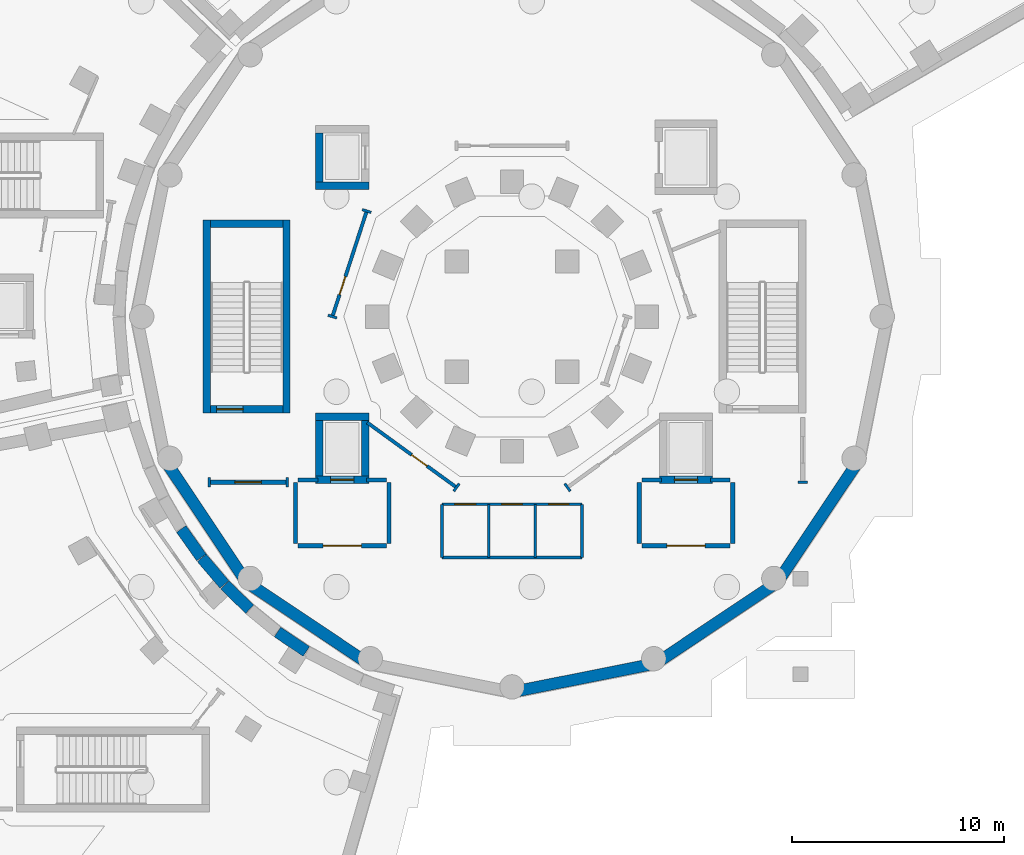
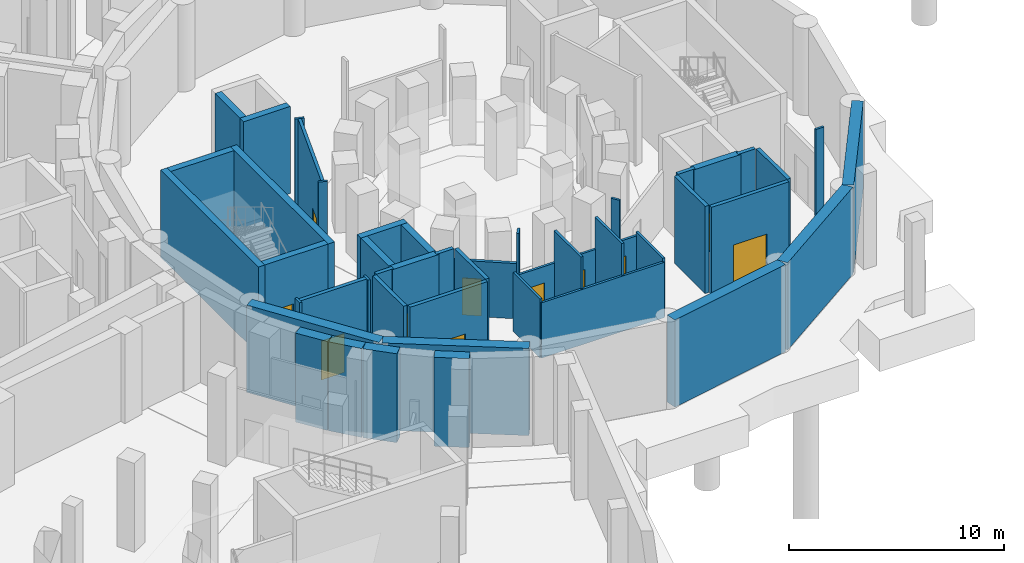
# One storey, part 9 of 33: 46 walls, 11 doors, 11 openings.
"""IFC4 building model written with IfcOpenShell, lengths in metres."""

from ifc_helpers import new_model, si_unit, direction, frame, frame_2d, origin, place, context, subcontext, project, spatial, rectangle, extrude, material, layer, layer_set, type_object, element, fill, save


model = new_model("IFC4")

# Units and contexts
model_context = context("Model", 3, precision=1e-05, world=origin(), true_north=direction((0.0, 1.0)))
body_context = subcontext(model_context, "Body", "Model", "MODEL_VIEW")
ifc_project = project(units=[si_unit("LENGTHUNIT", "METRE"), si_unit("AREAUNIT", "SQUARE_METRE"), si_unit("VOLUMEUNIT", "CUBIC_METRE"), si_unit("PLANEANGLEUNIT", "RADIAN"), si_unit("MASSUNIT", "GRAM", prefix="KILO")], contexts=[model_context])

# Site, building, storey
site_placement = place(None, origin())
site = spatial("IfcSite", under=ifc_project, at=site_placement, CompositionType="ELEMENT")
building_placement = place(site_placement, origin())
building = spatial("IfcBuilding", under=site, at=building_placement, Name="Soyqirgoq Riverine Aquarium", CompositionType="ELEMENT")
storey_placement = place(building_placement, frame((0.0, 0.0, -5.39990234375)))
storey = spatial("IfcBuildingStorey", under=building, at=storey_placement, Name="B01", CompositionType="ELEMENT", Elevation=-5.39990234375)

# Wall, opening, door
ifc_material_1 = material(Name="Concrete C40/50", Category="concrete")
ifc_layer_1 = layer(ifc_material_1, 0.35009765625)
ifc_layer_set_1 = layer_set([ifc_layer_1], Name="Concrete C40/50")
wall_type_1 = type_object("IfcWallType", Name="CoreShearWall_350_C40", PredefinedType="SHEAR", material=ifc_layer_set_1)
wall_1_placement = place(storey_placement, frame((62.945068359375, 49.320068359375, 0.0), z_axis=(0.0, 0.0, 1.0), x_axis=(1.0, 0.0, 0.0)))
wall_1 = element("IfcWall", 1, at=wall_1_placement, inside=storey, type_object=wall_type_1, Name="Lift FFL-1 Shaft Wall B01 1", PredefinedType="SHEAR", context=body_context, shape_type="SweptSolid", body=[
    extrude(rectangle(XDim=2.510009765625, YDim=0.35009765625, at=frame_2d((1.2548828125, 0.0))), origin(), (0.0, 0.0, 1.0), 4.949951171875),
])
opening_1_placement = place(wall_1_placement, frame((0.705078125, 0.0, 0.0)))
opening_1 = element("IfcOpeningElement", 2, at=opening_1_placement, cuts=wall_1, Name="Opening LD-01", PredefinedType="OPENING", context=body_context, shape_type="SweptSolid", body=[
    extrude(rectangle(XDim=1.10009765625, YDim=2.199951171875, at=frame_2d((0.550048828125, 1.10009765625))), frame((0.0, 0.18505859375, 0.0), z_axis=(0.0, -1.0, 0.0), x_axis=(1.0, 0.0, 0.0)), (0.0, 0.0, 1.0), 0.3701171875),
])
ifc_material_2 = material(Name="Brushed stainless steel telescopic lift landing door", Category="steel")
door_type_1 = type_object("IfcDoorType", Name="LiftLandingDoor_1100x2200", OperationType="SLIDING_TO_LEFT", PredefinedType="DOOR", material=ifc_material_2)
door_1_placement = place(opening_1_placement, origin())
door_1 = element("IfcDoor", 3, at=door_1_placement, inside=storey, type_object=door_type_1, Name="LD-FFL-1-B01 Lift FFL-1 B01 Sliding Landing Door", OperationType="SLIDING_TO_LEFT", OverallHeight=2.199951171875, OverallWidth=1.10009765625, PredefinedType="DOOR", context=body_context, shape_type="SweptSolid", body=[
    extrude(rectangle(XDim=1.10009765625, YDim=2.199951171875, at=frame_2d((0.550048828125, 1.10009765625))), frame((0.0, 0.02490234375, 0.0), z_axis=(0.0, -1.0, 0.0), x_axis=(1.0, 0.0, 0.0)), (0.0, 0.0, 1.0), 0.050048828125),
])
fill(opening_1, door_1)

# Walls
wall_2_placement = place(storey_placement, frame((45.375, 52.449951171875, 0.0), z_axis=(0.0, 0.0, 1.0), x_axis=(0.0, 1.0, 0.0)))
element("IfcWall", 4, at=wall_2_placement, inside=storey, type_object=wall_type_1, Name="CORE-1B B01 Stair Core Shear Wall SIDE1", PredefinedType="SHEAR", context=body_context, shape_type="SweptSolid", body=[
    extrude(rectangle(XDim=9.10009765625, YDim=0.35009765625, at=frame_2d((4.550048828125, 0.0))), origin(), (0.0, 0.0, 1.0), 4.949951171875),
])
wall_3_placement = place(storey_placement, frame((45.199951171875, 61.375, 0.0), z_axis=(0.0, 0.0, 1.0), x_axis=(-1.0, 0.0, 0.0)))
element("IfcWall", 5, at=wall_3_placement, inside=storey, type_object=wall_type_1, Name="CORE-1B B01 Stair Core Shear Wall BACK", PredefinedType="SHEAR", context=body_context, shape_type="SweptSolid", body=[
    extrude(rectangle(XDim=3.39990234375, YDim=0.35009765625, at=frame_2d((1.699951171875, 0.0))), origin(), (0.0, 0.0, 1.0), 4.949951171875),
])
wall_4_placement = place(storey_placement, frame((41.625, 61.550048828125, 0.0), z_axis=(0.0, 0.0, 1.0), x_axis=(0.0, -1.0, 0.0)))
element("IfcWall", 6, at=wall_4_placement, inside=storey, type_object=wall_type_1, Name="CORE-1B B01 Stair Core Shear Wall SIDE2", PredefinedType="SHEAR", context=body_context, shape_type="SweptSolid", body=[
    extrude(rectangle(XDim=9.10009765625, YDim=0.35009765625, at=frame_2d((4.550048828125, 0.0))), origin(), (0.0, 0.0, 1.0), 4.949951171875),
])

# Wall, opening, door
wall_5_placement = place(storey_placement, frame((41.800048828125, 52.625, 0.0), z_axis=(0.0, 0.0, 1.0), x_axis=(1.0, 0.0, 0.0)))
wall_5 = element("IfcWall", 7, at=wall_5_placement, inside=storey, type_object=wall_type_1, Name="CORE-1B B01 Stair Core Shear Wall FRONT", PredefinedType="SHEAR", context=body_context, shape_type="SweptSolid", body=[
    extrude(rectangle(XDim=3.39990234375, YDim=0.35009765625, at=frame_2d((1.699951171875, 0.0))), origin(), (0.0, 0.0, 1.0), 4.949951171875),
])
opening_2_placement = place(wall_5_placement, frame((0.280029296875, 0.0, 0.0)))
opening_2 = element("IfcOpeningElement", 8, at=opening_2_placement, cuts=wall_5, Name="Opening FD-01", PredefinedType="OPENING", context=body_context, shape_type="SweptSolid", body=[
    extrude(rectangle(XDim=1.25, YDim=2.199951171875, at=frame_2d((0.625, 1.10009765625))), frame((0.0, 0.18505859375, 0.0), z_axis=(0.0, -1.0, 0.0), x_axis=(1.0, 0.0, 0.0)), (0.0, 0.0, 1.0), 0.3701171875),
])
ifc_material_3 = material(Name="Galvanised steel fire-resisting stair door", Category="steel")
door_type_2 = type_object("IfcDoorType", Name="StairFireDoor_1250x2200_EI90", OperationType="NOTDEFINED", PredefinedType="DOOR", material=ifc_material_3)
door_2_placement = place(opening_2_placement, origin())
door_2 = element("IfcDoor", 9, at=door_2_placement, inside=storey, type_object=door_type_2, Name="DR-ST-9-B01 ST-9 B01 Fire-Rated Stairwell Door", OperationType="SINGLE_SWING_LEFT", OverallHeight=2.199951171875, OverallWidth=1.25, PredefinedType="DOOR", context=body_context, shape_type="SweptSolid", body=[
    extrude(rectangle(XDim=1.25, YDim=2.199951171875, at=frame_2d((0.625, 1.10009765625))), frame((0.0, 0.02490234375, 0.0), z_axis=(0.0, -1.0, 0.0), x_axis=(1.0, 0.0, 0.0)), (0.0, 0.0, 1.0), 0.050048828125),
])
fill(opening_2, door_2)

wall_6_placement = place(storey_placement, frame((46.7451171875, 49.320068359375, 0.0), z_axis=(0.0, 0.0, 1.0), x_axis=(1.0, 0.0, 0.0)))
wall_6 = element("IfcWall", 10, at=wall_6_placement, inside=storey, type_object=wall_type_1, Name="Lift FFL-2 Shaft Wall B01 1", PredefinedType="SHEAR", context=body_context, shape_type="SweptSolid", body=[
    extrude(rectangle(XDim=2.509765625, YDim=0.35009765625, at=frame_2d((1.2548828125, 0.0))), origin(), (0.0, 0.0, 1.0), 4.949951171875),
])
opening_3_placement = place(wall_6_placement, frame((0.705078125, 0.0, 0.0)))
opening_3 = element("IfcOpeningElement", 11, at=opening_3_placement, cuts=wall_6, Name="Opening LD-01", PredefinedType="OPENING", context=body_context, shape_type="SweptSolid", body=[
    extrude(rectangle(XDim=1.10009765625, YDim=2.199951171875, at=frame_2d((0.550048828125, 1.10009765625))), frame((0.0, 0.18505859375, 0.0), z_axis=(0.0, -1.0, 0.0), x_axis=(1.0, 0.0, 0.0)), (0.0, 0.0, 1.0), 0.3701171875),
])
door_3_placement = place(opening_3_placement, origin())
door_3 = element("IfcDoor", 12, at=door_3_placement, inside=storey, type_object=door_type_1, Name="LD-FFL-2-B01 Lift FFL-2 B01 Sliding Landing Door", OperationType="SLIDING_TO_LEFT", OverallHeight=2.199951171875, OverallWidth=1.10009765625, PredefinedType="DOOR", context=body_context, shape_type="SweptSolid", body=[
    extrude(rectangle(XDim=1.10009765625, YDim=2.199951171875, at=frame_2d((0.550048828125, 1.10009765625))), frame((0.0, 0.02490234375, 0.0), z_axis=(0.0, -1.0, 0.0), x_axis=(1.0, 0.0, 0.0)), (0.0, 0.0, 1.0), 0.050048828125),
])
fill(opening_3, door_3)

# Walls
wall_7_placement = place(storey_placement, frame((49.080078125, 49.4951171875, 0.0), z_axis=(0.0, 0.0, 1.0), x_axis=(0.0, 1.0, 0.0)))
element("IfcWall", 13, at=wall_7_placement, inside=storey, type_object=wall_type_1, Name="Lift FFL-2 Shaft Wall B01 2", PredefinedType="SHEAR", context=body_context, shape_type="SweptSolid", body=[
    extrude(rectangle(XDim=2.60986328125, YDim=0.35009765625, at=frame_2d((1.304931640625, 0.0))), origin(), (0.0, 0.0, 1.0), 4.949951171875),
])
wall_8_placement = place(storey_placement, frame((49.2548828125, 52.280029296875, 0.0), z_axis=(0.0, 0.0, 1.0), x_axis=(-1.0, 0.0, 0.0)))
element("IfcWall", 14, at=wall_8_placement, inside=storey, type_object=wall_type_1, Name="Lift FFL-2 Shaft Wall B01 3", PredefinedType="SHEAR", context=body_context, shape_type="SweptSolid", body=[
    extrude(rectangle(XDim=2.509765625, YDim=0.35009765625, at=frame_2d((1.2548828125, 0.0))), origin(), (0.0, 0.0, 1.0), 4.949951171875),
])
wall_9_placement = place(storey_placement, frame((46.919921875, 52.10498046875, 0.0), z_axis=(0.0, 0.0, 1.0), x_axis=(0.0, -1.0, 0.0)))
element("IfcWall", 15, at=wall_9_placement, inside=storey, type_object=wall_type_1, Name="Lift FFL-2 Shaft Wall B01 4", PredefinedType="SHEAR", context=body_context, shape_type="SweptSolid", body=[
    extrude(rectangle(XDim=2.60986328125, YDim=0.35009765625, at=frame_2d((1.304931640625, 0.0))), origin(), (0.0, 0.0, 1.0), 4.949951171875),
])
wall_10_placement = place(storey_placement, frame((46.7451171875, 63.169921875, 0.0), z_axis=(0.0, 0.0, 1.0), x_axis=(1.0, 0.0, 0.0)))
element("IfcWall", 16, at=wall_10_placement, inside=storey, type_object=wall_type_1, Name="Lift PL-1 Shaft Wall B01 1", PredefinedType="SHEAR", context=body_context, shape_type="SweptSolid", body=[
    extrude(rectangle(XDim=2.509765625, YDim=0.35009765625, at=frame_2d((1.2548828125, 0.0))), origin(), (0.0, 0.0, 1.0), 4.949951171875),
])
wall_11_placement = place(storey_placement, frame((46.919921875, 65.655029296875, 0.0), z_axis=(0.0, 0.0, 1.0), x_axis=(0.0, -1.0, 0.0)))
element("IfcWall", 17, at=wall_11_placement, inside=storey, type_object=wall_type_1, Name="Lift PL-1 Shaft Wall B01 4", PredefinedType="SHEAR", context=body_context, shape_type="SweptSolid", body=[
    extrude(rectangle(XDim=2.31005859375, YDim=0.35009765625, at=frame_2d((1.155029296875, 0.0))), origin(), (0.0, 0.0, 1.0), 4.949951171875),
])
ifc_material_4 = material(Name="Lightweight steel-stud gypsum partition", Category="steel")
ifc_layer_2 = layer(ifc_material_4, 0.1201171875)
ifc_layer_set_2 = layer_set([ifc_layer_2], Name="Lightweight steel-stud gypsum partition")
wall_type_2 = type_object("IfcWallType", Name="PartitionWall_120_Std", PredefinedType="PARTITIONING", material=ifc_layer_set_2)
for number, where, z_axis, x_axis, name in (
    (18, (69.919921875, 49.199951171875, 0.0), (0.0, 0.0, 1.0), (-1.0, 0.0, 0.0), "V1 B01 Jamb Return Pier"),
    (19, (41.723388671875, 48.97998046875, 0.0), (0.0, 0.0, 1.0), (0.0, 1.0, 0.0), "V1 B01 Jamb Return Pier"),
    (20, (45.39990234375, 48.97998046875, 0.0), (0.0, 0.0, 1.0), (0.0, 1.0, 0.0), "V1 B01 Jamb Return Pier"),
):
    element("IfcWall", number, at=place(storey_placement, frame(where, z_axis=z_axis, x_axis=x_axis)), inside=storey, type_object=wall_type_2, Name=name, PredefinedType="PARTITIONING", context=body_context, shape_type="SweptSolid", body=[
        extrude(rectangle(XDim=0.43994140625, YDim=0.1201171875, at=frame_2d((0.219970703125, 0.0))), origin(), (0.0, 0.0, 1.0), 4.949951171875),
    ])
wall_12_placement = place(storey_placement, frame((47.74609375, 56.931884765625, 0.0), z_axis=(0.0, 0.0, 1.0), x_axis=(-0.950879027099, 0.309562717107, 0.0)))
element("IfcWall", 21, at=wall_12_placement, inside=storey, type_object=wall_type_2, Name="V1 B01 Jamb Return Pier", PredefinedType="PARTITIONING", context=body_context, shape_type="SweptSolid", body=[
    extrude(rectangle(XDim=0.440185546875, YDim=0.1201171875, at=frame_2d((0.22021484375, 0.0))), origin(), (0.0, 0.0, 1.0), 4.949951171875),
])
for number, where, z_axis, x_axis, name in (
    (22, (49.362548828125, 61.906494140625, 0.0), (0.0, 0.0, 1.0), (-0.951042223598, 0.309060979314, 0.0), "V1 B01 Jamb Return Pier"),
    (23, (58.48583984375, 49.129150390625, 0.0), (0.0, 0.0, 1.0), (0.587676645097, -0.809095890984, 0.0), "V1 B01 Jamb Return Pier"),
    (24, (53.51416015625, 49.129150390625, 0.0), (0.0, 0.0, 1.0), (-0.587676645097, -0.809095890984, 0.0), "V1 B01 Jamb Return Pier"),
):
    element("IfcWall", number, at=place(storey_placement, frame(where, z_axis=z_axis, x_axis=x_axis)), inside=storey, type_object=wall_type_2, Name=name, PredefinedType="PARTITIONING", context=body_context, shape_type="SweptSolid", body=[
        extrude(rectangle(XDim=0.43994140625, YDim=0.1201171875, at=frame_2d((0.219970703125, 0.0))), origin(), (0.0, 0.0, 1.0), 4.949951171875),
    ])

# Wall, openings, doors
ifc_material_5 = material(Name="Moisture-resistant cement-board wet-room partition", Category="gypsum")
ifc_layer_3 = layer(ifc_material_5, 0.125)
ifc_layer_set_3 = layer_set([ifc_layer_3], Name="Moisture-resistant cement-board wet-room partition")
wall_type_3 = type_object("IfcWallType", Name="PartitionWall_125_Wet", PredefinedType="PARTITIONING", material=ifc_layer_set_3)
wall_13_placement = place(storey_placement, frame((52.699951171875, 48.14990234375, 0.0), z_axis=(0.0, 0.0, 1.0), x_axis=(1.0, 0.0, 0.0)))
wall_13 = element("IfcWall", 25, at=wall_13_placement, inside=storey, type_object=wall_type_3, Name="V1 B01 WC Suite Front Wall", PredefinedType="PARTITIONING", context=body_context, shape_type="SweptSolid", body=[
    extrude(rectangle(XDim=6.60009765625, YDim=0.125, at=frame_2d((3.300048828125, 0.0))), origin(), (0.0, 0.0, 1.0), 3.139892578125),
])
opening_4_placement = place(wall_13_placement, frame((0.60009765625, 0.0, 0.0)))
opening_4 = element("IfcOpeningElement", 26, at=opening_4_placement, cuts=wall_13, Name="Opening ID-05", PredefinedType="OPENING", context=body_context, shape_type="SweptSolid", body=[
    extrude(rectangle(XDim=1.0, YDim=2.199951171875, at=frame_2d((0.5, 1.10009765625))), frame((0.0, 0.072509765625, 0.0), z_axis=(0.0, -1.0, 0.0), x_axis=(1.0, 0.0, 0.0)), (0.0, 0.0, 1.0), 0.14501953125),
])
opening_5_placement = place(wall_13_placement, frame((2.824951171875, 0.0, 0.0)))
opening_5 = element("IfcOpeningElement", 27, at=opening_5_placement, cuts=wall_13, Name="Opening ID-06", PredefinedType="OPENING", context=body_context, shape_type="SweptSolid", body=[
    extrude(rectangle(XDim=0.949951171875, YDim=2.199951171875, at=frame_2d((0.47509765625, 1.10009765625))), frame((0.0, 0.072509765625, 0.0), z_axis=(0.0, -1.0, 0.0), x_axis=(1.0, 0.0, 0.0)), (0.0, 0.0, 1.0), 0.14501953125),
])
opening_6_placement = place(wall_13_placement, frame((5.02490234375, 0.0, 0.0)))
opening_6 = element("IfcOpeningElement", 28, at=opening_6_placement, cuts=wall_13, Name="Opening ID-06", PredefinedType="OPENING", context=body_context, shape_type="SweptSolid", body=[
    extrude(rectangle(XDim=0.949951171875, YDim=2.199951171875, at=frame_2d((0.47509765625, 1.10009765625))), frame((0.0, 0.072509765625, 0.0), z_axis=(0.0, -1.0, 0.0), x_axis=(1.0, 0.0, 0.0)), (0.0, 0.0, 1.0), 0.14501953125),
])
ifc_material_6 = material(Name="Moisture-resistant HPL accessible washroom door", Category="wood")
door_type_3 = type_object("IfcDoorType", Name="AccessibleWCDoor_1000x2200", OperationType="NOTDEFINED", PredefinedType="DOOR", material=ifc_material_6)
door_4_placement = place(opening_4_placement, origin())
door_4 = element("IfcDoor", 29, at=door_4_placement, inside=storey, type_object=door_type_3, Name="IDR-V1-B01-0001 Accessible WC Door", OperationType="SINGLE_SWING_RIGHT", OverallHeight=2.199951171875, OverallWidth=1.0, PredefinedType="DOOR", context=body_context, shape_type="SweptSolid", body=[
    extrude(rectangle(XDim=1.0, YDim=2.199951171875, at=frame_2d((0.5, 1.10009765625))), frame((0.0, 0.02490234375, 0.0), z_axis=(0.0, -1.0, 0.0), x_axis=(1.0, 0.0, 0.0)), (0.0, 0.0, 1.0), 0.050048828125),
])
fill(opening_4, door_4)
ifc_material_7 = material(Name="Moisture-resistant HPL washroom door", Category="wood")
door_type_4 = type_object("IfcDoorType", Name="WCDoor_950x2200", OperationType="NOTDEFINED", PredefinedType="DOOR", material=ifc_material_7)
door_5_placement = place(opening_5_placement, origin())
door_5 = element("IfcDoor", 30, at=door_5_placement, inside=storey, type_object=door_type_4, Name="IDR-V1-B01-0002 Staff Shower Room Door", OperationType="SINGLE_SWING_LEFT", OverallHeight=2.199951171875, OverallWidth=0.949951171875, PredefinedType="DOOR", context=body_context, shape_type="SweptSolid", body=[
    extrude(rectangle(XDim=0.949951171875, YDim=2.199951171875, at=frame_2d((0.47509765625, 1.10009765625))), frame((0.0, 0.02490234375, 0.0), z_axis=(0.0, -1.0, 0.0), x_axis=(1.0, 0.0, 0.0)), (0.0, 0.0, 1.0), 0.050048828125),
])
fill(opening_5, door_5)
door_6_placement = place(opening_6_placement, origin())
door_6 = element("IfcDoor", 31, at=door_6_placement, inside=storey, type_object=door_type_4, Name="IDR-V1-B01-0003 Staff WC Door", OperationType="SINGLE_SWING_RIGHT", OverallHeight=2.199951171875, OverallWidth=0.949951171875, PredefinedType="DOOR", context=body_context, shape_type="SweptSolid", body=[
    extrude(rectangle(XDim=0.949951171875, YDim=2.199951171875, at=frame_2d((0.47509765625, 1.10009765625))), frame((0.0, 0.02490234375, 0.0), z_axis=(0.0, -1.0, 0.0), x_axis=(1.0, 0.0, 0.0)), (0.0, 0.0, 1.0), 0.050048828125),
])
fill(opening_6, door_6)

# Walls
wall_14_placement = place(storey_placement, frame((52.699951171875, 45.64990234375, 0.0), z_axis=(0.0, 0.0, 1.0), x_axis=(1.0, 0.0, 0.0)))
element("IfcWall", 32, at=wall_14_placement, inside=storey, type_object=wall_type_3, Name="V1 B01 WC Suite Back Wall", PredefinedType="PARTITIONING", context=body_context, shape_type="SweptSolid", body=[
    extrude(rectangle(XDim=6.60009765625, YDim=0.125, at=frame_2d((3.300048828125, 0.0))), origin(), (0.0, 0.0, 1.0), 3.139892578125),
])
for number, where, z_axis, x_axis, name in (
    (33, (52.699951171875, 45.64990234375, 0.0), (0.0, 0.0, 1.0), (0.0, 1.0, 0.0), "V1 B01 WC Suite West Wall"),
    (34, (59.300048828125, 45.64990234375, 0.0), (0.0, 0.0, 1.0), (0.0, 1.0, 0.0), "V1 B01 WC Suite East Wall"),
):
    element("IfcWall", number, at=place(storey_placement, frame(where, z_axis=z_axis, x_axis=x_axis)), inside=storey, type_object=wall_type_3, Name=name, PredefinedType="PARTITIONING", context=body_context, shape_type="SweptSolid", body=[
        extrude(rectangle(XDim=2.5, YDim=0.125, at=frame_2d((1.25, 0.0))), origin(), (0.0, 0.0, 1.0), 3.33984375),
    ])
for number, where, z_axis, x_axis, name in (
    (35, (54.89990234375, 45.64990234375, 0.0), (0.0, 0.0, 1.0), (0.0, 1.0, 0.0), "V1 B01 WC Cubicle Divider 1"),
    (36, (57.10009765625, 45.64990234375, 0.0), (0.0, 0.0, 1.0), (0.0, 1.0, 0.0), "V1 B01 WC Cubicle Divider 2"),
):
    element("IfcWall", number, at=place(storey_placement, frame(where, z_axis=z_axis, x_axis=x_axis)), inside=storey, type_object=wall_type_3, Name=name, PredefinedType="PARTITIONING", context=body_context, shape_type="SweptSolid", body=[
        extrude(rectangle(XDim=2.5, YDim=0.125, at=frame_2d((1.25, 0.0))), origin(), (0.0, 0.0, 1.0), 4.949951171875),
    ])

# Wall, opening, door
ifc_material_8 = material(Name="Fire-rated acoustic gypsum stud partition", Category="gypsum")
ifc_layer_4 = layer(ifc_material_8, 0.159912109375)
ifc_layer_set_4 = layer_set([ifc_layer_4], Name="Fire-rated acoustic gypsum stud partition")
wall_type_4 = type_object("IfcWallType", Name="PartitionWall_160_EI60", PredefinedType="PARTITIONING", material=ifc_layer_set_4)
wall_15_placement = place(storey_placement, frame((47.536865234375, 57.0, 0.0), z_axis=(0.0, 0.0, 1.0), x_axis=(0.309035412731, 0.951050531611, 0.0)))
wall_15 = element("IfcWall", 37, at=wall_15_placement, inside=storey, type_object=wall_type_4, Name="Water Chemistry Testing Laboratory Partition Wall", PredefinedType="PARTITIONING", context=body_context, shape_type="SweptSolid", body=[
    extrude(rectangle(XDim=5.230712890625, YDim=0.159912109375, at=frame_2d((2.615234375, 0.0))), origin(), (0.0, 0.0, 1.0), 4.949951171875),
])
opening_7_placement = place(wall_15_placement, frame((1.08251953125, 0.0, 0.0)))
opening_7 = element("IfcOpeningElement", 38, at=opening_7_placement, cuts=wall_15, Name="Opening RD-01", PredefinedType="OPENING", context=body_context, shape_type="SweptSolid", body=[
    extrude(rectangle(XDim=0.89990234375, YDim=2.10009765625, at=frame_2d((0.449951171875, 1.050048828125))), frame((0.0, 0.08984375, 0.0), z_axis=(0.0, -1.0, 0.0), x_axis=(1.0, 0.0, 0.0)), (0.0, 0.0, 1.0), 0.179931640625),
])
ifc_material_9 = material(Name="Flush steel service riser fire door", Category="steel")
door_type_5 = type_object("IfcDoorType", Name="RiserAccessDoor_900x2100_EI60", OperationType="NOTDEFINED", PredefinedType="DOOR", material=ifc_material_9)
door_7_placement = place(opening_7_placement, origin())
door_7 = element("IfcDoor", 39, at=door_7_placement, inside=storey, type_object=door_type_5, Name="IDR-V1-B01-0006 Ocean Drum Circulation Corridor Door", OperationType="SINGLE_SWING_LEFT", OverallHeight=2.10009765625, OverallWidth=0.89990234375, PredefinedType="DOOR", context=body_context, shape_type="SweptSolid", body=[
    extrude(rectangle(XDim=0.89990234375, YDim=2.10009765625, at=frame_2d((0.449951171875, 1.050048828125))), frame((0.0, 0.02490234375, 0.0), z_axis=(0.0, -1.0, 0.0), x_axis=(1.0, 0.0, 0.0)), (0.0, 0.0, 1.0), 0.050048828125),
])
fill(opening_7, door_7)

wall_16_placement = place(storey_placement, frame((53.384765625, 48.951171875, 0.0), z_axis=(0.0, 0.0, 1.0), x_axis=(-0.809016112011, 0.58778646676, 0.0)))
wall_16 = element("IfcWall", 40, at=wall_16_placement, inside=storey, type_object=wall_type_4, Name="Water Chemistry Testing Laboratory Partition Wall", PredefinedType="PARTITIONING", context=body_context, shape_type="SweptSolid", body=[
    extrude(rectangle(XDim=5.201171875, YDim=0.159912109375, at=frame_2d((2.6005859375, 0.0))), origin(), (0.0, 0.0, 1.0), 3.139892578125),
])
opening_8_placement = place(wall_16_placement, frame((1.716796875, 0.0, 0.0)))
opening_8 = element("IfcOpeningElement", 41, at=opening_8_placement, cuts=wall_16, Name="Opening RD-01", PredefinedType="OPENING", context=body_context, shape_type="SweptSolid", body=[
    extrude(rectangle(XDim=0.89990234375, YDim=2.10009765625, at=frame_2d((0.449951171875, 1.050048828125))), frame((0.0, 0.08984375, 0.0), z_axis=(0.0, -1.0, 0.0), x_axis=(1.0, 0.0, 0.0)), (0.0, 0.0, 1.0), 0.179931640625),
])
door_8_placement = place(opening_8_placement, origin())
door_8 = element("IfcDoor", 42, at=door_8_placement, inside=storey, type_object=door_type_5, Name="IDR-V1-B01-0010 Ocean Drum Circulation Corridor Door", OperationType="SINGLE_SWING_LEFT", OverallHeight=2.10009765625, OverallWidth=0.89990234375, PredefinedType="DOOR", context=body_context, shape_type="SweptSolid", body=[
    extrude(rectangle(XDim=0.89990234375, YDim=2.10009765625, at=frame_2d((0.449951171875, 1.050048828125))), frame((0.0, 0.02490234375, 0.0), z_axis=(0.0, -1.0, 0.0), x_axis=(1.0, 0.0, 0.0)), (0.0, 0.0, 1.0), 0.050048828125),
])
fill(opening_8, door_8)

ifc_material_10 = material(Name="Fire-rated calcium silicate twin-stud partition", Category="gypsum")
ifc_layer_5 = layer(ifc_material_10, 0.199951171875)
ifc_layer_set_5 = layer_set([ifc_layer_5], Name="Fire-rated calcium silicate twin-stud partition")
wall_type_5 = type_object("IfcWallType", Name="PartitionWall_200_EI90", PredefinedType="PARTITIONING", material=ifc_layer_set_5)
wall_17_placement = place(storey_placement, frame((62.1201171875, 46.199951171875, 0.0), z_axis=(0.0, 0.0, 1.0), x_axis=(1.0, 0.0, 0.0)))
wall_17 = element("IfcWall", 43, at=wall_17_placement, inside=storey, type_object=wall_type_5, Name="CORE-1 B01 Firefighting Lobby South Enclosure Wall", PredefinedType="PARTITIONING", context=body_context, shape_type="SweptSolid", body=[
    extrude(rectangle(XDim=4.159912109375, YDim=0.199951171875, at=frame_2d((2.080078125, 0.0))), origin(), (0.0, 0.0, 1.0), 4.949951171875),
])
opening_9_placement = place(wall_17_placement, frame((1.179931640625, 0.0, 0.0)))
opening_9 = element("IfcOpeningElement", 44, at=opening_9_placement, cuts=wall_17, Name="Opening FD-02", PredefinedType="OPENING", context=body_context, shape_type="SweptSolid", body=[
    extrude(rectangle(XDim=1.800048828125, YDim=2.39990234375, at=frame_2d((0.89990234375, 1.199951171875))), frame((0.0, 0.10986328125, 0.0), z_axis=(0.0, -1.0, 0.0), x_axis=(1.0, 0.0, 0.0)), (0.0, 0.0, 1.0), 0.219970703125),
])
ifc_material_11 = material(Name="Glazed steel fire-resisting corridor double door", Category="steel")
door_type_6 = type_object("IfcDoorType", Name="LobbyFireDoor_1800x2400_EI60", OperationType="DOUBLE_DOOR_SINGLE_SWING", PredefinedType="DOOR", material=ifc_material_11)
door_9_placement = place(opening_9_placement, origin())
door_9 = element("IfcDoor", 45, at=door_9_placement, inside=storey, type_object=door_type_6, Name="DR-FFL-CORE-1-B01 CORE-1 B01 Firefighting Lobby Fire Door", OperationType="DOUBLE_DOOR_SINGLE_SWING", OverallHeight=2.39990234375, OverallWidth=1.800048828125, PredefinedType="DOOR", context=body_context, shape_type="SweptSolid", body=[
    extrude(rectangle(XDim=1.800048828125, YDim=2.39990234375, at=frame_2d((0.89990234375, 1.199951171875))), frame((0.0, 0.02490234375, 0.0), z_axis=(0.0, -1.0, 0.0), x_axis=(1.0, 0.0, 0.0)), (0.0, 0.0, 1.0), 0.050048828125),
])
fill(opening_9, door_9)

# Walls
for number, where, z_axis, x_axis, name in (
    (46, (62.0, 46.320068359375, 0.0), (0.0, 0.0, 1.0), (0.0, 1.0, 0.0), "CORE-1 B01 Firefighting Lobby W Wall"),
    (47, (66.39990234375, 46.320068359375, 0.0), (0.0, 0.0, 1.0), (0.0, 1.0, 0.0), "CORE-1 B01 Firefighting Lobby E Wall"),
):
    element("IfcWall", number, at=place(storey_placement, frame(where, z_axis=z_axis, x_axis=x_axis)), inside=storey, type_object=wall_type_5, Name=name, PredefinedType="PARTITIONING", context=body_context, shape_type="SweptSolid", body=[
        extrude(rectangle(XDim=2.85986328125, YDim=0.199951171875, at=frame_2d((1.429931640625, 0.0))), origin(), (0.0, 0.0, 1.0), 4.949951171875),
    ])
for number, where, z_axis, x_axis, name in (
    (48, (62.1201171875, 49.300048828125, 0.0), (0.0, 0.0, 1.0), (1.0, 0.0, 0.0), "CORE-1 B01 Firefighting Lobby NL Wall"),
    (49, (65.35009765625, 49.300048828125, 0.0), (0.0, 0.0, 1.0), (1.0, 0.0, 0.0), "CORE-1 B01 Firefighting Lobby NR Wall"),
):
    element("IfcWall", number, at=place(storey_placement, frame(where, z_axis=z_axis, x_axis=x_axis)), inside=storey, type_object=wall_type_5, Name=name, PredefinedType="PARTITIONING", context=body_context, shape_type="SweptSolid", body=[
        extrude(rectangle(XDim=0.929931640625, YDim=0.199951171875, at=frame_2d((0.46484375, 0.0))), origin(), (0.0, 0.0, 1.0), 4.949951171875),
    ])

# Wall, opening, door
wall_18_placement = place(storey_placement, frame((45.919921875, 46.199951171875, 0.0), z_axis=(0.0, 0.0, 1.0), x_axis=(1.0, 0.0, 0.0)))
wall_18 = element("IfcWall", 50, at=wall_18_placement, inside=storey, type_object=wall_type_5, Name="CORE-1B B01 Firefighting Lobby South Enclosure Wall", PredefinedType="PARTITIONING", context=body_context, shape_type="SweptSolid", body=[
    extrude(rectangle(XDim=4.16015625, YDim=0.199951171875, at=frame_2d((2.080078125, 0.0))), origin(), (0.0, 0.0, 1.0), 4.949951171875),
])
opening_10_placement = place(wall_18_placement, frame((1.179931640625, 0.0, 0.0)))
opening_10 = element("IfcOpeningElement", 51, at=opening_10_placement, cuts=wall_18, Name="Opening FD-02", PredefinedType="OPENING", context=body_context, shape_type="SweptSolid", body=[
    extrude(rectangle(XDim=1.800048828125, YDim=2.39990234375, at=frame_2d((0.89990234375, 1.199951171875))), frame((0.0, 0.10986328125, 0.0), z_axis=(0.0, -1.0, 0.0), x_axis=(1.0, 0.0, 0.0)), (0.0, 0.0, 1.0), 0.219970703125),
])
door_10_placement = place(opening_10_placement, origin())
door_10 = element("IfcDoor", 52, at=door_10_placement, inside=storey, type_object=door_type_6, Name="DR-FFL-CORE-1B-B01 CORE-1B B01 Firefighting Lobby Fire Door", OperationType="DOUBLE_DOOR_SINGLE_SWING", OverallHeight=2.39990234375, OverallWidth=1.800048828125, PredefinedType="DOOR", context=body_context, shape_type="SweptSolid", body=[
    extrude(rectangle(XDim=1.800048828125, YDim=2.39990234375, at=frame_2d((0.89990234375, 1.199951171875))), frame((0.0, 0.02490234375, 0.0), z_axis=(0.0, -1.0, 0.0), x_axis=(1.0, 0.0, 0.0)), (0.0, 0.0, 1.0), 0.050048828125),
])
fill(opening_10, door_10)

# Walls
for number, where, z_axis, x_axis, name in (
    (53, (45.800048828125, 46.320068359375, 0.0), (0.0, 0.0, 1.0), (0.0, 1.0, 0.0), "CORE-1B B01 Firefighting Lobby W Wall"),
    (54, (50.199951171875, 46.320068359375, 0.0), (0.0, 0.0, 1.0), (0.0, 1.0, 0.0), "CORE-1B B01 Firefighting Lobby E Wall"),
):
    element("IfcWall", number, at=place(storey_placement, frame(where, z_axis=z_axis, x_axis=x_axis)), inside=storey, type_object=wall_type_5, Name=name, PredefinedType="PARTITIONING", context=body_context, shape_type="SweptSolid", body=[
        extrude(rectangle(XDim=2.85986328125, YDim=0.199951171875, at=frame_2d((1.429931640625, 0.0))), origin(), (0.0, 0.0, 1.0), 4.949951171875),
    ])
for number, where, z_axis, x_axis, name in (
    (55, (45.919921875, 49.300048828125, 0.0), (0.0, 0.0, 1.0), (1.0, 0.0, 0.0), "CORE-1B B01 Firefighting Lobby NL Wall"),
    (56, (49.14990234375, 49.300048828125, 0.0), (0.0, 0.0, 1.0), (1.0, 0.0, 0.0), "CORE-1B B01 Firefighting Lobby NR Wall"),
):
    element("IfcWall", number, at=place(storey_placement, frame(where, z_axis=z_axis, x_axis=x_axis)), inside=storey, type_object=wall_type_5, Name=name, PredefinedType="PARTITIONING", context=body_context, shape_type="SweptSolid", body=[
        extrude(rectangle(XDim=0.93017578125, YDim=0.199951171875, at=frame_2d((0.465087890625, 0.0))), origin(), (0.0, 0.0, 1.0), 4.949951171875),
    ])

# Wall, opening, door
wall_19_placement = place(storey_placement, frame((41.723388671875, 49.199951171875, 0.0), z_axis=(0.0, 0.0, 1.0), x_axis=(1.0, 0.0, 0.0)))
wall_19 = element("IfcWall", 57, at=wall_19_placement, inside=storey, type_object=wall_type_5, Name="Stair Vestibule ST-9 Fire Enclosure Wall", PredefinedType="PARTITIONING", context=body_context, shape_type="SweptSolid", body=[
    extrude(rectangle(XDim=3.676513671875, YDim=0.199951171875, at=frame_2d((1.83837890625, 0.0))), origin(), (0.0, 0.0, 1.0), 4.949951171875),
])
opening_11_placement = place(wall_19_placement, frame((1.21337890625, 0.0, 0.0)))
opening_11 = element("IfcOpeningElement", 58, at=opening_11_placement, cuts=wall_19, Name="Opening FD-01", PredefinedType="OPENING", context=body_context, shape_type="SweptSolid", body=[
    extrude(rectangle(XDim=1.25, YDim=2.199951171875, at=frame_2d((0.625, 1.10009765625))), frame((0.0, 0.10986328125, 0.0), z_axis=(0.0, -1.0, 0.0), x_axis=(1.0, 0.0, 0.0)), (0.0, 0.0, 1.0), 0.219970703125),
])
door_11_placement = place(opening_11_placement, origin())
door_11 = element("IfcDoor", 59, at=door_11_placement, inside=storey, type_object=door_type_2, Name="IDR-V1-B01-0005 Stair Vestibule ST-9 Egress Fire Door", OperationType="SINGLE_SWING_LEFT", OverallHeight=2.199951171875, OverallWidth=1.25, PredefinedType="DOOR", context=body_context, shape_type="SweptSolid", body=[
    extrude(rectangle(XDim=1.25, YDim=2.199951171875, at=frame_2d((0.625, 1.10009765625))), frame((0.0, 0.02490234375, 0.0), z_axis=(0.0, -1.0, 0.0), x_axis=(1.0, 0.0, 0.0)), (0.0, 0.0, 1.0), 0.050048828125),
])
fill(opening_11, door_11)

# Walls
ifc_material_12 = material(Name="Concrete C35/45", Category="concrete")
ifc_layer_6 = layer(ifc_material_12, 0.550048828125)
ifc_layer_set_6 = layer_set([ifc_layer_6], Name="Concrete C35/45")
wall_type_6 = type_object("IfcWallType", Name="RetainingWall_550_C35", PredefinedType="USERDEFINED", material=ifc_layer_set_6)
for number, where, z_axis, x_axis, name in (
    (60, (72.33203125, 50.2060546875, 0.0), (0.0, 0.0, 1.0), (-0.555571837096, -0.831468540491, 0.0), "V1 B01 Perimeter Retaining Wall 002"),
    (61, (68.48876953125, 44.47314453125, 0.0), (0.0, 0.0, 1.0), (-0.831468540491, -0.555571837096, 0.0), "V1 B01 Perimeter Retaining Wall 003"),
    (62, (62.744384765625, 40.6474609375, 0.0), (0.0, 0.0, 1.0), (-0.980785783672, -0.195087791897, 0.0), "V1 B01 Perimeter Retaining Wall 004"),
    (63, (49.2060546875, 40.66796875, 0.0), (0.0, 0.0, 1.0), (-0.831468540491, 0.555571837096, 0.0), "V1 B01 Perimeter Retaining Wall 006"),
    (64, (43.47314453125, 44.51123046875, 0.0), (0.0, 0.0, 1.0), (-0.555571837096, 0.831468540491, 0.0), "V1 B01 Perimeter Retaining Wall 007"),
):
    element("IfcWall", number, at=place(storey_placement, frame(where, z_axis=z_axis, x_axis=x_axis)), inside=storey, type_object=wall_type_6, Name=name, ObjectType="RETAININGWALL", PredefinedType="USERDEFINED", context=body_context, shape_type="SweptSolid", body=[
        extrude(rectangle(XDim=6.84912109375, YDim=0.550048828125, at=frame_2d((3.424560546875, 0.0))), origin(), (0.0, 0.0, 1.0), 4.949951171875),
    ])
for number, where, z_axis, x_axis, name in (
    (65, (40.416259765625, 46.993408203125, 0.0), (0.0, 0.0, 1.0), (0.577172669706, -0.816622133759, 0.0), "V2 B01 Perimeter Retaining Wall 020"),
    (66, (41.380859375, 45.630859375, 0.0), (0.0, 0.0, 1.0), (0.648281640884, -0.761400626538, 0.0), "V2 B01 Perimeter Retaining Wall 021"),
):
    element("IfcWall", number, at=place(storey_placement, frame(where, z_axis=z_axis, x_axis=x_axis)), inside=storey, type_object=wall_type_6, Name=name, ObjectType="RETAININGWALL", PredefinedType="USERDEFINED", context=body_context, shape_type="SweptSolid", body=[
        extrude(rectangle(XDim=1.64453125, YDim=0.550048828125, at=frame_2d((0.822265625, 0.0))), origin(), (0.0, 0.0, 1.0), 5.0498046875),
    ])
wall_20_placement = place(storey_placement, frame((42.4638671875, 44.360595703125, 0.0), z_axis=(0.0, 0.0, 1.0), x_axis=(0.714341925408, -0.699796837378, 0.0)))
element("IfcWall", 67, at=wall_20_placement, inside=storey, type_object=wall_type_6, Name="V2 B01 Perimeter Retaining Wall 022", ObjectType="RETAININGWALL", PredefinedType="USERDEFINED", context=body_context, shape_type="SweptSolid", body=[
    extrude(rectangle(XDim=1.64501953125, YDim=0.550048828125, at=frame_2d((0.822509765625, 0.0))), origin(), (0.0, 0.0, 1.0), 5.0498046875),
])
wall_21_placement = place(storey_placement, frame((44.95068359375, 42.137451171875, 0.0), z_axis=(0.0, 0.0, 1.0), x_axis=(0.828252938777, -0.560354414105, 0.0)))
element("IfcWall", 68, at=wall_21_placement, inside=storey, type_object=wall_type_6, Name="V2 B01 Perimeter Retaining Wall 024", ObjectType="RETAININGWALL", PredefinedType="USERDEFINED", context=body_context, shape_type="SweptSolid", body=[
    extrude(rectangle(XDim=1.640380859375, YDim=0.550048828125, at=frame_2d((0.8203125, 0.0))), origin(), (0.0, 0.0, 1.0), 5.0498046875),
])

save(model, "model.ifc")
